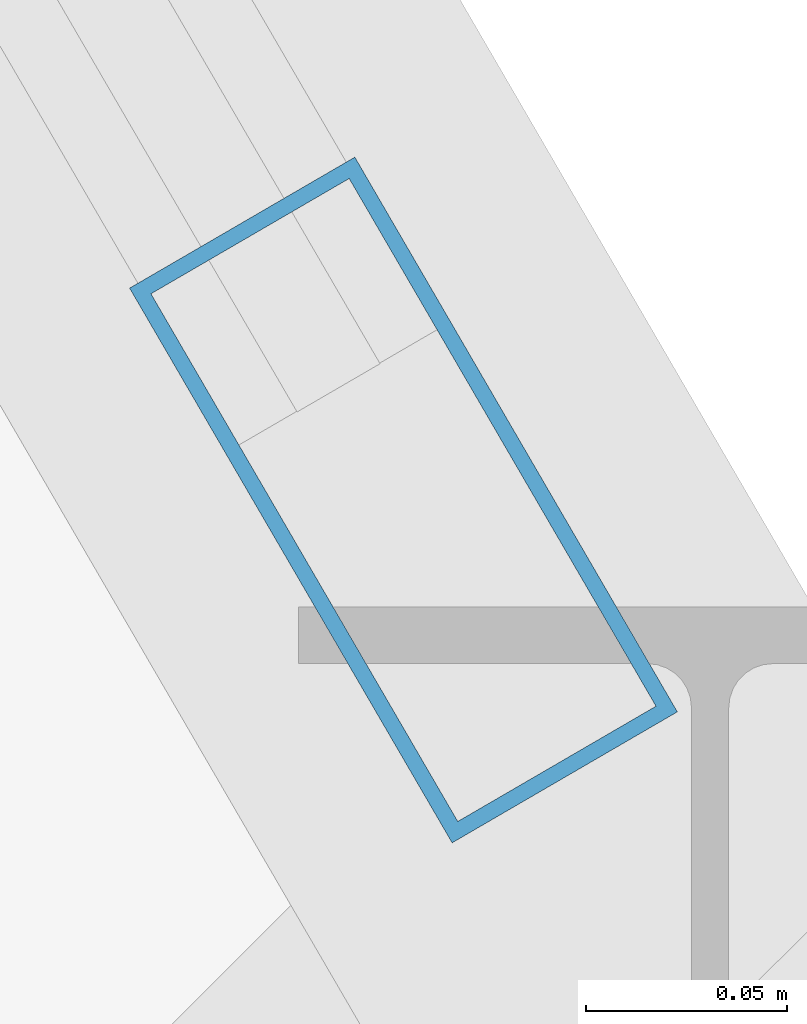
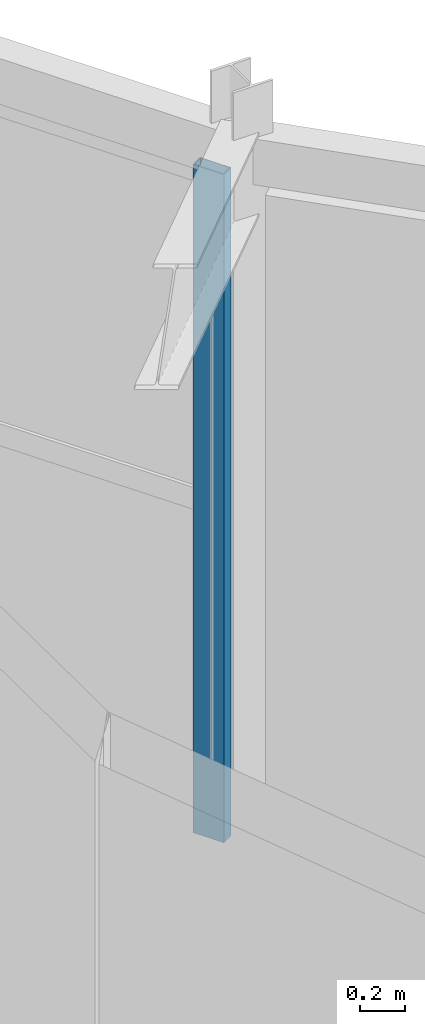
# One storey, part 39 of 157: 1 member, 1 element without a shape of its own.
"""IFC4 building model written with IfcOpenShell, lengths in metres."""

from ifc_helpers import new_model, si_unit, direction, frame, origin, origin_2d, place, context, subcontext, project, spatial, hollow_rectangle, extrude, material, material_profile, profile_set, type_object, element, aggregate, save


model = new_model("IFC4")

# Units and contexts
model_context = context("Model", 3, precision=1e-05, world=origin(), true_north=direction((0.0, 1.0)))
body_context = subcontext(model_context, "Body", "Model", "MODEL_VIEW")
ifc_project = project(units=[si_unit("LENGTHUNIT", "METRE"), si_unit("AREAUNIT", "SQUARE_METRE"), si_unit("VOLUMEUNIT", "CUBIC_METRE"), si_unit("PLANEANGLEUNIT", "RADIAN"), si_unit("MASSUNIT", "GRAM", prefix="KILO")], contexts=[model_context])

# Site, building, storey
site_placement = place(None, origin())
site = spatial("IfcSite", under=ifc_project, at=site_placement, CompositionType="ELEMENT")
building_placement = place(site_placement, origin())
building = spatial("IfcBuilding", under=site, at=building_placement, Name="Karori Crest Natural Sciences Institute", CompositionType="ELEMENT")
storey_placement = place(building_placement, frame((0.0, 0.0, 13.300048828125)))
storey = spatial("IfcBuildingStorey", under=building, at=storey_placement, Name="L03", CompositionType="ELEMENT", Elevation=13.300048828125)

# Curtain wall, member
ifc_material = material(Name="Anodised architectural aluminium 6063-T6", Category="aluminium")
curtain_wall_type = type_object("IfcCurtainWallType", Name="CWT-15", PredefinedType="NOTDEFINED", material=ifc_material)
curtain_wall_placement = place(storey_placement, origin())
curtain_wall = element("IfcCurtainWall", 1, at=curtain_wall_placement, inside=storey, type_object=curtain_wall_type, Name="Curtain wall CW-0122", PredefinedType="NOTDEFINED")
ifc_material_profile = material_profile(ifc_material, hollow_rectangle(XDim=0.06494140625, YDim=0.159912109375, WallThickness=0.00390625, at=origin_2d()), Name="CWM160x65x4")
ifc_profile_set = profile_set([ifc_material_profile], Name="Anodised architectural aluminium 6063-T6")
member_type = type_object("IfcMemberType", Name="CWM-01", PredefinedType="MULLION", material=ifc_profile_set)
member_placement = place(storey_placement, frame((49.070068359375, 27.2626953125, 0.0), z_axis=(0.0, 0.0, 1.0), x_axis=(0.864487154971, 0.502654910341, 0.0)))
member = element("IfcMember", 2, at=member_placement, type_object=member_type, Name="CW-0122 mullion 3", PredefinedType="MULLION", context=body_context, shape_type="SweptSolid", body=[
    extrude(hollow_rectangle(XDim=0.06494140625, YDim=0.159912109375, WallThickness=0.00390625, at=origin_2d()), origin(), (0.0, 0.0, 1.0), 3.64990234375),
])
aggregate(curtain_wall, [member])

save(model, "model.ifc")
